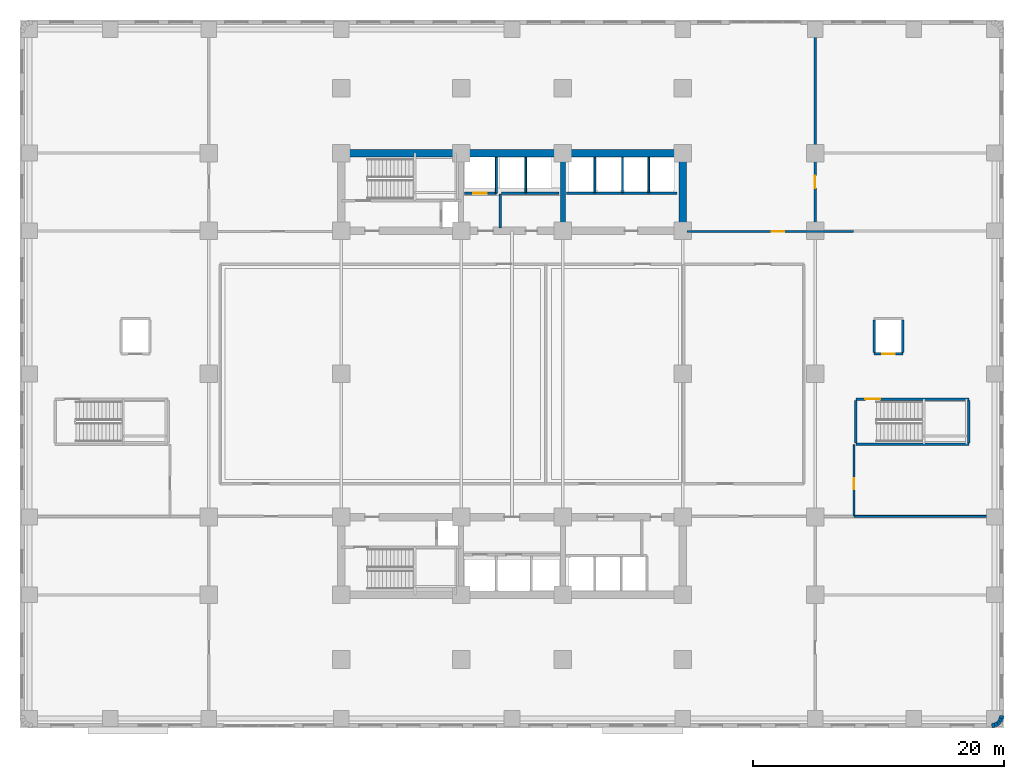
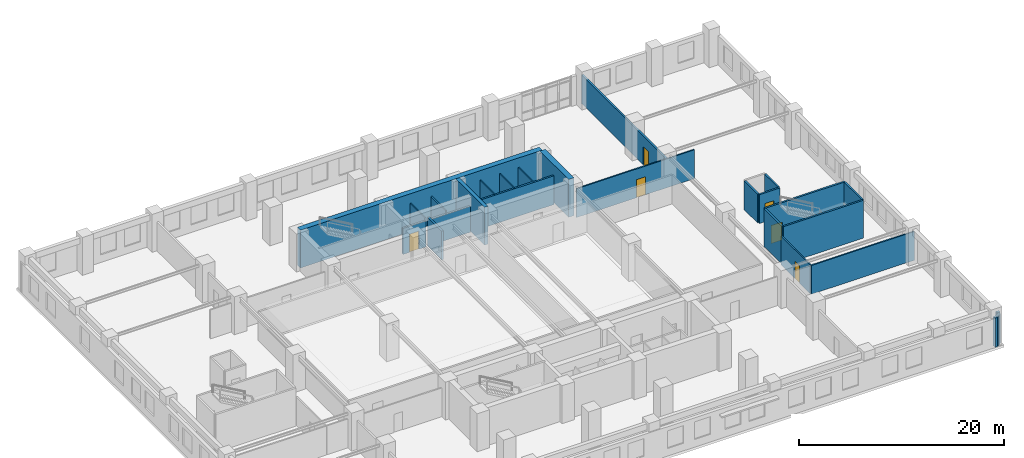
# One storey, part 10 of 16: 28 walls, 6 doors, 6 openings.
"""IFC4 building model written with IfcOpenShell, lengths in metres."""

from ifc_helpers import new_model, si_unit, direction, frame, frame_2d, origin, place, context, subcontext, project, spatial, rectangle, extrude, material, layer, layer_set, type_object, element, fill, save


model = new_model("IFC4")

# Units and contexts
model_context = context("Model", 3, precision=1e-05, world=origin(), true_north=direction((0.0, 1.0)))
body_context = subcontext(model_context, "Body", "Model", "MODEL_VIEW")
ifc_project = project(units=[si_unit("LENGTHUNIT", "METRE"), si_unit("AREAUNIT", "SQUARE_METRE"), si_unit("VOLUMEUNIT", "CUBIC_METRE"), si_unit("PLANEANGLEUNIT", "RADIAN"), si_unit("MASSUNIT", "GRAM", prefix="KILO")], contexts=[model_context])

# Site, building, storey
site_placement = place(None, origin())
site = spatial("IfcSite", under=ifc_project, at=site_placement, CompositionType="ELEMENT")
building_placement = place(site_placement, origin())
building = spatial("IfcBuilding", under=site, at=building_placement, Name="Svetorya Sky Lyceum", CompositionType="ELEMENT")
storey_placement = place(building_placement, frame((0.0, 0.0, 11.10009765625)))
storey = spatial("IfcBuildingStorey", under=building, at=storey_placement, Name="L02", CompositionType="ELEMENT", Elevation=11.10009765625)

# Walls
ifc_material_1 = material(Name="Concrete C40/50", Category="concrete")
ifc_layer_1 = layer(ifc_material_1, 0.39990234375)
ifc_layer_set_1 = layer_set([ifc_layer_1], Name="Concrete C40/50")
wall_type_1 = type_object("IfcWallType", Name="WL-CORE-400", PredefinedType="SHEAR", material=ifc_layer_set_1)
wall_1_placement = place(storey_placement, frame((43.25, 39.89990234375, 0.0), z_axis=(0.0, 0.0, 1.0), x_axis=(0.0, 1.0, 0.0)))
element("IfcWall", 1, at=wall_1_placement, inside=storey, type_object=wall_type_1, Name="L02 NC Internal Shear Web WEB2", PredefinedType="SHEAR", context=body_context, shape_type="SweptSolid", body=[
    extrude(rectangle(XDim=5.60009765625, YDim=0.39990234375, at=frame_2d((2.800048828125, 0.0))), origin(), (0.0, 0.0, 1.0), 4.5),
])
ifc_material_2 = material(Name="Concrete C60/75", Category="concrete")
ifc_layer_2 = layer(ifc_material_2, 0.60009765625)
ifc_layer_set_2 = layer_set([ifc_layer_2], Name="Concrete C60/75")
wall_type_2 = type_object("IfcWallType", Name="WL-CORE-600", PredefinedType="SHEAR", material=ifc_layer_set_2)
wall_2_placement = place(storey_placement, frame((25.60009765625, 45.800048828125, 0.0), z_axis=(0.0, 0.0, 1.0), x_axis=(1.0, 0.0, 0.0)))
element("IfcWall", 2, at=wall_2_placement, inside=storey, type_object=wall_type_2, Name="L02 NC Outer Core Shear Wall", PredefinedType="SHEAR", context=body_context, shape_type="SweptSolid", body=[
    extrude(rectangle(XDim=27.199951171875, YDim=0.60009765625, at=frame_2d((13.60009765625, 0.0))), origin(), (0.0, 0.0, 1.0), 4.5),
])
wall_3_placement = place(storey_placement, frame((52.800048828125, 39.89990234375, 0.0), z_axis=(0.0, 0.0, 1.0), x_axis=(0.0, 1.0, 0.0)))
element("IfcWall", 3, at=wall_3_placement, inside=storey, type_object=wall_type_2, Name="L02 NC East Core Shear Wall", PredefinedType="SHEAR", context=body_context, shape_type="SweptSolid", body=[
    extrude(rectangle(XDim=5.60009765625, YDim=0.60009765625, at=frame_2d((2.800048828125, 0.0))), origin(), (0.0, 0.0, 1.0), 4.5),
])
ifc_material_3 = material(Name="Putilovo limestone rainscreen on autoclaved cellular masonry", Category="masonry")
ifc_layer_3 = layer(ifc_material_3, 0.360107421875)
ifc_layer_set_3 = layer_set([ifc_layer_3], Name="Putilovo limestone rainscreen on autoclaved cellular masonry")
wall_type_3 = type_object("IfcWallType", Name="WL-EXT-360", PredefinedType="SOLIDWALL", material=ifc_layer_set_3)
wall_4_placement = place(storey_placement, frame((77.419921875, 0.179931640625, 0.0), z_axis=(0.0, 0.0, 1.0), x_axis=(0.987604361038, 0.156963773077, 0.0)))
element("IfcWall", 4, at=wall_4_placement, inside=storey, type_object=wall_type_3, Name="L02 Limestone Exterior Wall 7M", PredefinedType="SOLIDWALL", context=body_context, shape_type="SweptSolid", body=[
    extrude(rectangle(XDim=0.25048828125, YDim=0.360107421875, at=frame_2d((0.125244140625, 0.0))), origin(), (0.0, 0.0, 1.0), 3.47998046875),
])
for number, where, z_axis, x_axis, name in (
    (5, (77.667236328125, 0.21923828125, 0.0), (0.0, 0.0, 1.0), (0.891084182005, 0.453838055457, 0.0), "L02 Limestone Exterior Wall 8M"),
    (6, (77.89013671875, 0.332763671875, 0.0), (0.0, 0.0, 1.0), (0.707106781187, 0.707106781187, 0.0), "L02 Limestone Exterior Wall 9M"),
):
    element("IfcWall", number, at=place(storey_placement, frame(where, z_axis=z_axis, x_axis=x_axis)), inside=storey, type_object=wall_type_3, Name=name, PredefinedType="SOLIDWALL", context=body_context, shape_type="SweptSolid", body=[
        extrude(rectangle(XDim=0.250244140625, YDim=0.360107421875, at=frame_2d((0.125, 0.0))), origin(), (0.0, 0.0, 1.0), 3.47998046875),
    ])
wall_5_placement = place(storey_placement, frame((78.067138671875, 0.509765625, 0.0), z_axis=(0.0, 0.0, 1.0), x_axis=(0.454217786225, 0.89089067942, 0.0)))
element("IfcWall", 7, at=wall_5_placement, inside=storey, type_object=wall_type_3, Name="L02 Limestone Exterior Wall 10M", PredefinedType="SOLIDWALL", context=body_context, shape_type="SweptSolid", body=[
    extrude(rectangle(XDim=0.25048828125, YDim=0.360107421875, at=frame_2d((0.125244140625, 0.0))), origin(), (0.0, 0.0, 1.0), 3.47998046875),
])
wall_6_placement = place(storey_placement, frame((78.180908203125, 0.73291015625, 0.0), z_axis=(0.0, 0.0, 1.0), x_axis=(0.156163049852, 0.987731290312, 0.0)))
element("IfcWall", 8, at=wall_6_placement, inside=storey, type_object=wall_type_3, Name="L02 Limestone Exterior Wall 11M", PredefinedType="SOLIDWALL", context=body_context, shape_type="SweptSolid", body=[
    extrude(rectangle(XDim=0.250244140625, YDim=0.360107421875, at=frame_2d((0.125, 0.0))), origin(), (0.0, 0.0, 1.0), 3.47998046875),
])
ifc_material_4 = material(Name="Autoclaved cellular masonry blockwork with acoustic render", Category="masonry")
ifc_layer_4 = layer(ifc_material_4, 0.14990234375)
ifc_layer_set_4 = layer_set([ifc_layer_4], Name="Autoclaved cellular masonry blockwork with acoustic render")
wall_type_4 = type_object("IfcWallType", Name="WL-PART-150", PredefinedType="PARTITIONING", material=ifc_layer_set_4)
wall_7_placement = place(storey_placement, frame((37.949951171875, 42.60009765625, 0.0), z_axis=(0.0, 0.0, 1.0), x_axis=(0.0, 1.0, 0.0)))
element("IfcWall", 9, at=wall_7_placement, inside=storey, type_object=wall_type_4, Name="L02 Interior Partition NC-FL1SIDE", PredefinedType="PARTITIONING", context=body_context, shape_type="SweptSolid", body=[
    extrude(rectangle(XDim=2.849853515625, YDim=0.14990234375, at=frame_2d((1.4248046875, 0.0))), origin(), (0.0, 0.0, 1.0), 3.419921875),
])
for number, where, z_axis, x_axis, name in (
    (10, (40.300048828125, 42.64990234375, 0.0), (0.0, 0.0, 1.0), (0.0, 1.0, 0.0), "L02 Interior Partition NC-PM-D1"),
    (11, (45.800048828125, 42.64990234375, 0.0), (0.0, 0.0, 1.0), (0.0, 1.0, 0.0), "L02 Interior Partition NC-PM3-D"),
    (12, (48.0, 42.64990234375, 0.0), (0.0, 0.0, 1.0), (0.0, 1.0, 0.0), "L02 Interior Partition NC-PH-D1"),
    (13, (50.10009765625, 42.64990234375, 0.0), (0.0, 0.0, 1.0), (0.0, 1.0, 0.0), "L02 Interior Partition NC-PH-D2"),
):
    element("IfcWall", number, at=place(storey_placement, frame(where, z_axis=z_axis, x_axis=x_axis)), inside=storey, type_object=wall_type_4, Name=name, PredefinedType="PARTITIONING", context=body_context, shape_type="SweptSolid", body=[
        extrude(rectangle(XDim=2.800048828125, YDim=0.14990234375, at=frame_2d((1.39990234375, 0.0))), origin(), (0.0, 0.0, 1.0), 3.419921875),
    ])

# Wall, opening, door
wall_8_placement = place(storey_placement, frame((66.449951171875, 16.89990234375, 0.0), z_axis=(0.0, 0.0, 1.0), x_axis=(0.0, 1.0, 0.0)))
wall_8 = element("IfcWall", 14, at=wall_8_placement, inside=storey, type_object=wall_type_4, Name="L02 Interior Partition STFE-W", PredefinedType="PARTITIONING", context=body_context, shape_type="SweptSolid", body=[
    extrude(rectangle(XDim=5.650146484375, YDim=0.14990234375, at=frame_2d((2.8251953125, 0.0))), origin(), (0.0, 0.0, 1.0), 3.419921875),
])
opening_1_placement = place(wall_8_placement, frame((2.10009765625, 0.0, 0.0)))
opening_1 = element("IfcOpeningElement", 15, at=opening_1_placement, cuts=wall_8, Name="Opening D-RM1", PredefinedType="OPENING", context=body_context, shape_type="SweptSolid", body=[
    extrude(rectangle(XDim=0.89990234375, YDim=2.10009765625, at=frame_2d((0.449951171875, 1.050048828125))), frame((0.0, 0.0849609375, 0.0), z_axis=(0.0, -1.0, 0.0), x_axis=(1.0, 0.0, 0.0)), (0.0, 0.0, 1.0), 0.169921875),
])
ifc_material_5 = material(Name="Lacquered birch veneer internal door")
door_type_1 = type_object("IfcDoorType", Name="DR-INT-900", OperationType="SINGLE_SWING_LEFT", PredefinedType="DOOR", material=ifc_material_5)
door_1_placement = place(opening_1_placement, origin())
door_1 = element("IfcDoor", 16, at=door_1_placement, inside=storey, type_object=door_type_1, Name="L02 Staff Workroom Door", OperationType="SINGLE_SWING_RIGHT", OverallHeight=2.10009765625, OverallWidth=0.89990234375, PredefinedType="DOOR", context=body_context, shape_type="SweptSolid", body=[
    extrude(rectangle(XDim=0.89990234375, YDim=2.10009765625, at=frame_2d((0.449951171875, 1.050048828125))), frame((0.0, 0.02490234375, 0.0), z_axis=(0.0, -1.0, 0.0), x_axis=(1.0, 0.0, 0.0)), (0.0, 0.0, 1.0), 0.050048828125),
])
fill(opening_1, door_1)

# Wall
wall_9_placement = place(storey_placement, frame((66.449951171875, 16.85009765625, 0.0), z_axis=(0.0, 0.0, 1.0), x_axis=(1.0, 0.0, 0.0)))
element("IfcWall", 17, at=wall_9_placement, inside=storey, type_object=wall_type_4, Name="L02 Interior Partition CLSE2-N", PredefinedType="PARTITIONING", context=body_context, shape_type="SweptSolid", body=[
    extrude(rectangle(XDim=11.550048828125, YDim=0.14990234375, at=frame_2d((5.77490234375, 0.0))), origin(), (0.0, 0.0, 1.0), 3.419921875),
])

# Wall, opening, door
wall_10_placement = place(storey_placement, frame((66.39990234375, 39.550048828125, 0.0), z_axis=(0.0, 0.0, 1.0), x_axis=(-1.0, 0.0, 0.0)))
wall_10 = element("IfcWall", 18, at=wall_10_placement, inside=storey, type_object=wall_type_4, Name="L02 Interior Partition NE-CORR", PredefinedType="PARTITIONING", context=body_context, shape_type="SweptSolid", body=[
    extrude(rectangle(XDim=13.25, YDim=0.14990234375, at=frame_2d((6.625, 0.0))), origin(), (0.0, 0.0, 1.0), 3.419921875),
])
opening_2_placement = place(wall_10_placement, frame((5.5, 0.0, 0.0)))
opening_2 = element("IfcOpeningElement", 19, at=opening_2_placement, cuts=wall_10, Name="Opening D-RM2", PredefinedType="OPENING", context=body_context, shape_type="SweptSolid", body=[
    extrude(rectangle(XDim=1.0, YDim=2.14990234375, at=frame_2d((0.5, 1.074951171875))), frame((0.0, 0.0849609375, 0.0), z_axis=(0.0, -1.0, 0.0), x_axis=(1.0, 0.0, 0.0)), (0.0, 0.0, 1.0), 0.169921875),
])
ifc_material_6 = material(Name="Solid-core oak acoustic room door")
door_type_2 = type_object("IfcDoorType", Name="DR-INT-1000", OperationType="SINGLE_SWING_LEFT", PredefinedType="DOOR", material=ifc_material_6)
door_2_placement = place(opening_2_placement, origin())
door_2 = element("IfcDoor", 20, at=door_2_placement, inside=storey, type_object=door_type_2, Name="L02 Classroom NE1 Door", OperationType="SINGLE_SWING_LEFT", OverallHeight=2.14990234375, OverallWidth=1.0, PredefinedType="DOOR", context=body_context, shape_type="SweptSolid", body=[
    extrude(rectangle(XDim=1.0, YDim=2.14990234375, at=frame_2d((0.5, 1.074951171875))), frame((0.0, 0.02490234375, 0.0), z_axis=(0.0, -1.0, 0.0), x_axis=(1.0, 0.0, 0.0)), (0.0, 0.0, 1.0), 0.050048828125),
])
fill(opening_2, door_2)

ifc_material_7 = material(Name="Autoclaved cellular masonry blockwork with gypsum plaster", Category="masonry")
ifc_layer_5 = layer(ifc_material_7, 0.199951171875)
ifc_layer_set_5 = layer_set([ifc_layer_5], Name="Autoclaved cellular masonry blockwork with gypsum plaster")
wall_type_5 = type_object("IfcWallType", Name="WL-PART-200", PredefinedType="PARTITIONING", material=ifc_layer_set_5)
wall_11_placement = place(storey_placement, frame((37.949951171875, 42.60009765625, 0.0), z_axis=(0.0, 0.0, 1.0), x_axis=(-1.0, 0.0, 0.0)))
wall_11 = element("IfcWall", 21, at=wall_11_placement, inside=storey, type_object=wall_type_5, Name="L02 Interior Partition NC-FL1W", PredefinedType="PARTITIONING", context=body_context, shape_type="SweptSolid", body=[
    extrude(rectangle(XDim=2.550048828125, YDim=0.199951171875, at=frame_2d((1.27490234375, 0.0))), origin(), (0.0, 0.0, 1.0), 3.079833984375),
])
opening_3_placement = place(wall_11_placement, frame((0.75, 0.0, 0.0)))
opening_3 = element("IfcOpeningElement", 22, at=opening_3_placement, cuts=wall_11, Name="Opening LD-FL", PredefinedType="OPENING", context=body_context, shape_type="SweptSolid", body=[
    extrude(rectangle(XDim=1.10009765625, YDim=2.14990234375, at=frame_2d((0.550048828125, 1.074951171875))), frame((0.0, 0.10986328125, 0.0), z_axis=(0.0, -1.0, 0.0), x_axis=(1.0, 0.0, 0.0)), (0.0, 0.0, 1.0), 0.219970703125),
])
ifc_material_8 = material(Name="Fire-rated stainless AISI 304 firefighting lift landing door")
door_type_3 = type_object("IfcDoorType", Name="DR-LIFT-1100", OperationType="SLIDING_TO_LEFT", PredefinedType="DOOR", material=ifc_material_8)
door_3_placement = place(opening_3_placement, origin())
door_3 = element("IfcDoor", 23, at=door_3_placement, inside=storey, type_object=door_type_3, Name="L02 Firefighting Lift FL1 Landing Door", OperationType="SLIDING_TO_LEFT", OverallHeight=2.14990234375, OverallWidth=1.10009765625, PredefinedType="DOOR", context=body_context, shape_type="SweptSolid", body=[
    extrude(rectangle(XDim=1.10009765625, YDim=2.14990234375, at=frame_2d((0.550048828125, 1.074951171875))), frame((0.0, 0.02490234375, 0.0), z_axis=(0.0, -1.0, 0.0), x_axis=(1.0, 0.0, 0.0)), (0.0, 0.0, 1.0), 0.050048828125),
])
fill(opening_3, door_3)

# Walls
wall_12_placement = place(storey_placement, frame((38.280029296875, 39.820068359375, 0.0), z_axis=(0.0, 0.0, 1.0), x_axis=(0.0, 1.0, 0.0)))
element("IfcWall", 24, at=wall_12_placement, inside=storey, type_object=wall_type_5, Name="L02 Interior Partition NC-FFLDIV", PredefinedType="PARTITIONING", context=body_context, shape_type="SweptSolid", body=[
    extrude(rectangle(XDim=2.72998046875, YDim=0.199951171875, at=frame_2d((1.364990234375, 0.0))), origin(), (0.0, 0.0, 1.0), 3.419921875),
])
wall_13_placement = place(storey_placement, frame((42.949951171875, 42.60009765625, 0.0), z_axis=(0.0, 0.0, 1.0), x_axis=(-1.0, 0.0, 0.0)))
element("IfcWall", 25, at=wall_13_placement, inside=storey, type_object=wall_type_5, Name="L02 Interior Partition NC-PM12W", PredefinedType="PARTITIONING", context=body_context, shape_type="SweptSolid", body=[
    extrude(rectangle(XDim=4.599853515625, YDim=0.199951171875, at=frame_2d((2.2998046875, 0.0))), origin(), (0.0, 0.0, 1.0), 3.079833984375),
])
wall_14_placement = place(storey_placement, frame((52.35009765625, 42.60009765625, 0.0), z_axis=(0.0, 0.0, 1.0), x_axis=(-1.0, 0.0, 0.0)))
element("IfcWall", 26, at=wall_14_placement, inside=storey, type_object=wall_type_5, Name="L02 Interior Partition NC-PHEW", PredefinedType="PARTITIONING", context=body_context, shape_type="SweptSolid", body=[
    extrude(rectangle(XDim=8.800048828125, YDim=0.199951171875, at=frame_2d((4.39990234375, 0.0))), origin(), (0.0, 0.0, 1.0), 3.419921875),
])
for number, where, z_axis, x_axis, name in (
    (27, (68.050048828125, 29.89990234375, 0.0), (0.0, 0.0, 1.0), (0.0, 1.0, 0.0), "L02 Interior Partition SHL-W-SCHL2"),
    (28, (70.35009765625, 29.89990234375, 0.0), (0.0, 0.0, 1.0), (0.0, 1.0, 0.0), "L02 Interior Partition SHL-E-SCHL2"),
):
    element("IfcWall", number, at=place(storey_placement, frame(where, z_axis=z_axis, x_axis=x_axis)), inside=storey, type_object=wall_type_5, Name=name, PredefinedType="PARTITIONING", context=body_context, shape_type="SweptSolid", body=[
        extrude(rectangle(XDim=2.60009765625, YDim=0.199951171875, at=frame_2d((1.300048828125, 0.0))), origin(), (0.0, 0.0, 1.0), 3.419921875),
    ])

# Wall, opening, door
wall_15_placement = place(storey_placement, frame((68.050048828125, 29.800048828125, 0.0), z_axis=(0.0, 0.0, 1.0), x_axis=(1.0, 0.0, 0.0)))
wall_15 = element("IfcWall", 29, at=wall_15_placement, inside=storey, type_object=wall_type_5, Name="L02 Interior Partition SHL-S-SCHL2", PredefinedType="PARTITIONING", context=body_context, shape_type="SweptSolid", body=[
    extrude(rectangle(XDim=2.300048828125, YDim=0.199951171875, at=frame_2d((1.14990234375, 0.0))), origin(), (0.0, 0.0, 1.0), 3.419921875),
])
opening_4_placement = place(wall_15_placement, frame((0.64990234375, 0.0, 0.0)))
opening_4 = element("IfcOpeningElement", 30, at=opening_4_placement, cuts=wall_15, Name="Opening LD-P1", PredefinedType="OPENING", context=body_context, shape_type="SweptSolid", body=[
    extrude(rectangle(XDim=1.0, YDim=2.14990234375, at=frame_2d((0.5, 1.074951171875))), frame((0.0, 0.10986328125, 0.0), z_axis=(0.0, -1.0, 0.0), x_axis=(1.0, 0.0, 0.0)), (0.0, 0.0, 1.0), 0.219970703125),
])
ifc_material_9 = material(Name="Champagne-anodized stainless passenger lift landing door")
door_type_4 = type_object("IfcDoorType", Name="DR-LIFT-1000", OperationType="SLIDING_TO_LEFT", PredefinedType="DOOR", material=ifc_material_9)
door_4_placement = place(opening_4_placement, origin())
door_4 = element("IfcDoor", 31, at=door_4_placement, inside=storey, type_object=door_type_4, Name="L02 Lyceum Lift SCHL2 Landing Door", OperationType="SLIDING_TO_LEFT", OverallHeight=2.14990234375, OverallWidth=1.0, PredefinedType="DOOR", context=body_context, shape_type="SweptSolid", body=[
    extrude(rectangle(XDim=1.0, YDim=2.14990234375, at=frame_2d((0.5, 1.074951171875))), frame((0.0, 0.02490234375, 0.0), z_axis=(0.0, -1.0, 0.0), x_axis=(1.0, 0.0, 0.0)), (0.0, 0.0, 1.0), 0.050048828125),
])
fill(opening_4, door_4)

wall_16_placement = place(storey_placement, frame((63.35009765625, 39.60009765625, 0.0), z_axis=(0.0, 0.0, 1.0), x_axis=(0.0, 1.0, 0.0)))
wall_16 = element("IfcWall", 32, at=wall_16_placement, inside=storey, type_object=wall_type_5, Name="L02 Interior Partition NE-DIV", PredefinedType="PARTITIONING", context=body_context, shape_type="SweptSolid", body=[
    extrude(rectangle(XDim=16.39990234375, YDim=0.199951171875, at=frame_2d((8.199951171875, 0.0))), origin(), (0.0, 0.0, 1.0), 3.419921875),
])
opening_5_placement = place(wall_16_placement, frame((3.39990234375, 0.0, 0.0)))
opening_5 = element("IfcOpeningElement", 33, at=opening_5_placement, cuts=wall_16, Name="Opening D-RM2", PredefinedType="OPENING", context=body_context, shape_type="SweptSolid", body=[
    extrude(rectangle(XDim=1.0, YDim=2.14990234375, at=frame_2d((0.5, 1.074951171875))), frame((0.0, 0.10986328125, 0.0), z_axis=(0.0, -1.0, 0.0), x_axis=(1.0, 0.0, 0.0)), (0.0, 0.0, 1.0), 0.219970703125),
])
door_5_placement = place(opening_5_placement, origin())
door_5 = element("IfcDoor", 34, at=door_5_placement, inside=storey, type_object=door_type_2, Name="L02 Studio Lab Door", OperationType="SINGLE_SWING_RIGHT", OverallHeight=2.14990234375, OverallWidth=1.0, PredefinedType="DOOR", context=body_context, shape_type="SweptSolid", body=[
    extrude(rectangle(XDim=1.0, YDim=2.14990234375, at=frame_2d((0.5, 1.074951171875))), frame((0.0, 0.02490234375, 0.0), z_axis=(0.0, -1.0, 0.0), x_axis=(1.0, 0.0, 0.0)), (0.0, 0.0, 1.0), 0.050048828125),
])
fill(opening_5, door_5)

# Walls
ifc_material_10 = material(Name="Concrete C50/60", Category="concrete")
ifc_layer_6 = layer(ifc_material_10, 0.199951171875)
ifc_layer_set_6 = layer_set([ifc_layer_6], Name="Concrete C50/60")
wall_type_6 = type_object("IfcWallType", Name="WL-SHW-200", PredefinedType="SHEAR", material=ifc_layer_set_6)
wall_17_placement = place(storey_placement, frame((66.60009765625, 22.60009765625, 0.0), z_axis=(0.0, 0.0, 1.0), x_axis=(1.0, 0.0, 0.0)))
element("IfcWall", 35, at=wall_17_placement, inside=storey, type_object=wall_type_6, Name="L02 Structural Stair Shaft Wall SCHW-S-E", PredefinedType="SHEAR", context=body_context, shape_type="SweptSolid", body=[
    extrude(rectangle(XDim=9.0, YDim=0.199951171875, at=frame_2d((4.5, 0.0))), origin(), (0.0, 0.0, 1.0), 4.5),
])
for number, where, z_axis, x_axis, name in (
    (36, (66.60009765625, 22.699951171875, 0.0), (0.0, 0.0, 1.0), (0.0, 1.0, 0.0), "L02 Structural Stair Shaft Wall SCHW-W-E"),
    (37, (75.60009765625, 22.699951171875, 0.0), (0.0, 0.0, 1.0), (0.0, 1.0, 0.0), "L02 Structural Stair Shaft Wall SCHW-E-E"),
):
    element("IfcWall", number, at=place(storey_placement, frame(where, z_axis=z_axis, x_axis=x_axis)), inside=storey, type_object=wall_type_6, Name=name, PredefinedType="SHEAR", context=body_context, shape_type="SweptSolid", body=[
        extrude(rectangle(XDim=3.400146484375, YDim=0.199951171875, at=frame_2d((1.7001953125, 0.0))), origin(), (0.0, 0.0, 1.0), 4.5),
    ])

# Wall, opening, door
wall_18_placement = place(storey_placement, frame((75.60009765625, 26.199951171875, 0.0), z_axis=(0.0, 0.0, 1.0), x_axis=(-1.0, 0.0, 0.0)))
wall_18 = element("IfcWall", 38, at=wall_18_placement, inside=storey, type_object=wall_type_6, Name="L02 Structural Stair Shaft Wall SCHW-N-E", PredefinedType="SHEAR", context=body_context, shape_type="SweptSolid", body=[
    extrude(rectangle(XDim=9.0, YDim=0.199951171875, at=frame_2d((4.5, 0.0))), origin(), (0.0, 0.0, 1.0), 4.5),
])
opening_6_placement = place(wall_18_placement, frame((7.050048828125, 0.0, 0.0)))
opening_6 = element("IfcOpeningElement", 39, at=opening_6_placement, cuts=wall_18, Name="Opening D-FL1", PredefinedType="OPENING", context=body_context, shape_type="SweptSolid", body=[
    extrude(rectangle(XDim=1.199951171875, YDim=2.14990234375, at=frame_2d((0.60009765625, 1.074951171875))), frame((0.0, 0.10986328125, 0.0), z_axis=(0.0, -1.0, 0.0), x_axis=(1.0, 0.0, 0.0)), (0.0, 0.0, 1.0), 0.219970703125),
])
ifc_material_11 = material(Name="Powder-coated insulated galvanized fire door")
door_type_5 = type_object("IfcDoorType", Name="DR-FIRE-1200", OperationType="SINGLE_SWING_LEFT", PredefinedType="DOOR", material=ifc_material_11)
door_6_placement = place(opening_6_placement, origin())
door_6 = element("IfcDoor", 40, at=door_6_placement, inside=storey, type_object=door_type_5, Name="L02 Lyceum Stair E Fire Door", OperationType="SINGLE_SWING_RIGHT", OverallHeight=2.14990234375, OverallWidth=1.199951171875, PredefinedType="DOOR", context=body_context, shape_type="SweptSolid", body=[
    extrude(rectangle(XDim=1.199951171875, YDim=2.14990234375, at=frame_2d((0.60009765625, 1.074951171875))), frame((0.0, 0.02490234375, 0.0), z_axis=(0.0, -1.0, 0.0), x_axis=(1.0, 0.0, 0.0)), (0.0, 0.0, 1.0), 0.050048828125),
])
fill(opening_6, door_6)

save(model, "model.ifc")
